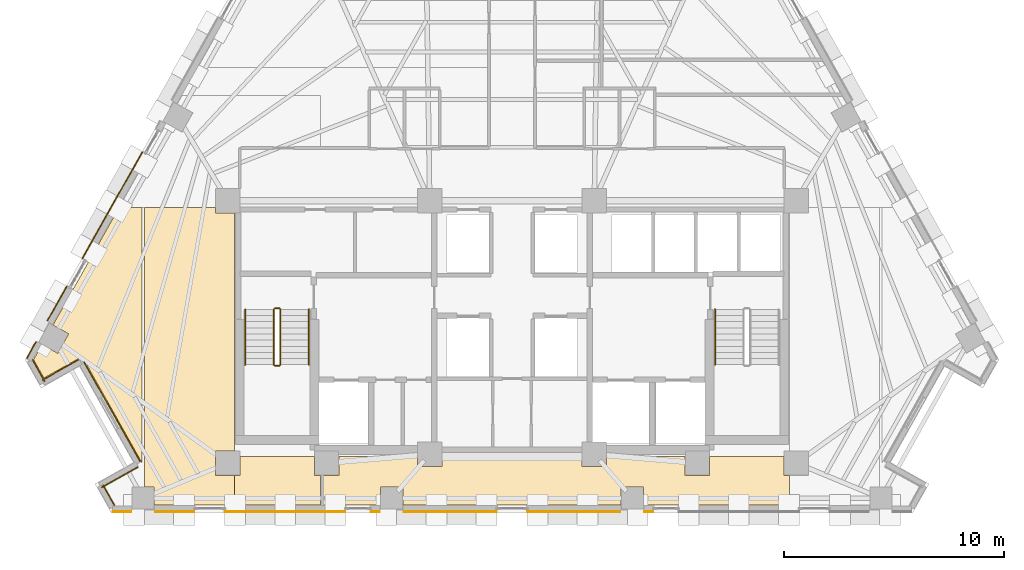
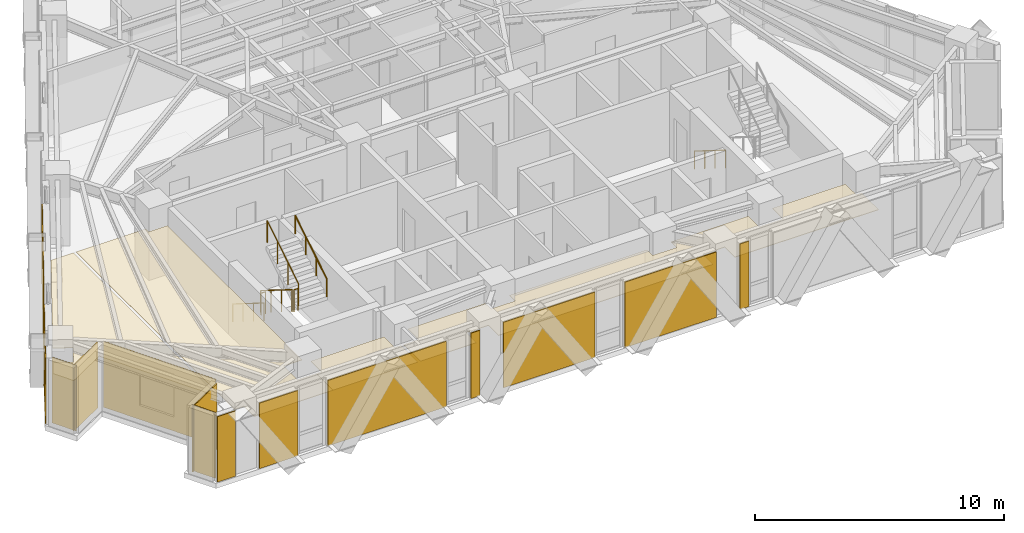
# One storey, part 11 of 14: 19 coverings, 7 railings.
"""IFC4 building model written with IfcOpenShell, lengths in metres."""

from ifc_helpers import new_model, si_unit, direction, frame, origin, origin_2d, place, context, subcontext, project, spatial, polyline, circle, outline, extrude, material, layer, layer_set, type_object, element, save


model = new_model("IFC4")

# Units and contexts
model_context = context("Model", 3, precision=1e-05, world=origin(), true_north=direction((0.0, 1.0)))
body_context = subcontext(model_context, "Body", "Model", "MODEL_VIEW")
ifc_project = project(units=[si_unit("LENGTHUNIT", "METRE"), si_unit("AREAUNIT", "SQUARE_METRE"), si_unit("VOLUMEUNIT", "CUBIC_METRE"), si_unit("PLANEANGLEUNIT", "RADIAN"), si_unit("MASSUNIT", "GRAM", prefix="KILO")], contexts=[model_context])

# Site, building, storey
site_placement = place(None, origin())
site = spatial("IfcSite", under=ifc_project, at=site_placement, CompositionType="ELEMENT")
building_placement = place(site_placement, origin())
building = spatial("IfcBuilding", under=site, at=building_placement, Name="Quenlor Broadcast Tower", CompositionType="ELEMENT")
storey_placement = place(building_placement, frame((0.0, 0.0, 168.5)))
storey = spatial("IfcBuildingStorey", under=building, at=storey_placement, Name="L46", CompositionType="ELEMENT", Elevation=168.5)

# Coverings
ifc_material_1 = material(Name="Acoustic Mineral Fibre Board", Category="other")
ifc_layer_1 = layer(ifc_material_1, 0.02490234375)
ifc_layer_set_1 = layer_set([ifc_layer_1], Name="Acoustic Perforated Mineral Tile Ceiling 25")
covering_type_1 = type_object("IfcCoveringType", Name="Acoustic Perforated Mineral Tile Ceiling 25", PredefinedType="CEILING", material=ifc_layer_set_1)
covering_1_placement = place(storey_placement, frame((0.0, 0.0, 2.375)))
element("IfcCovering", 1, at=covering_1_placement, inside=storey, type_object=covering_type_1, Name="L46 Acoustic Ceiling L46-37-2", PredefinedType="CEILING", context=body_context, shape_type="SweptSolid", body=[
    extrude(outline(polyline([(-20.19580078125, -10.86572265625), (-20.90869140625, -10.46484375), (-17.90234375, -5.1201171875), (-16.860107421875, -5.1201171875), (-16.860107421875, -16.733642578125), (-19.580322265625, -11.8974609375), (-21.323486328125, -12.878173828125), (-21.794921875, -12.0400390625), (-21.406982421875, -11.350341796875), (-20.694091796875, -11.751220703125), (-20.19580078125, -10.86572265625)])), origin(), (0.0, 0.0, 1.0), 0.02490234375),
])
covering_2_placement = place(storey_placement, frame((0.0, 0.0, 2.375)))
element("IfcCovering", 2, at=covering_2_placement, inside=storey, type_object=covering_type_1, Name="L46 Acoustic Ceiling L46-37-3", PredefinedType="CEILING", context=body_context, shape_type="SweptSolid", body=[
    extrude(outline(polyline([(-13.508056640625, -5.35791015625), (-12.64990234375, -5.35791015625), (-12.64990234375, -16.19189453125), (-13.508056640625, -16.19189453125), (-13.508056640625, -17.30810546875), (-12.64990234375, -17.30810546875), (-12.64990234375, -18.659912109375), (-16.30029296875, -18.659912109375), (-16.30029296875, -17.842041015625), (-16.739990234375, -17.842041015625), (-16.739990234375, -5.1201171875), (-13.508056640625, -5.1201171875), (-13.508056640625, -5.35791015625)])), origin(), (0.0, 0.0, 1.0), 0.02490234375),
])
covering_3_placement = place(storey_placement, frame((0.0, 0.0, 2.375)))
element("IfcCovering", 3, at=covering_3_placement, inside=storey, type_object=covering_type_1, Name="L46 Acoustic Ceiling L46-37-4", PredefinedType="CEILING", context=body_context, shape_type="SweptSolid", body=[
    extrude(outline(polyline([(-12.39208984375, -17.30810546875), (-12.39208984375, -16.449951171875), (-9.008056640625, -16.449951171875), (-9.008056640625, -17.30810546875), (-8.71435546875, -17.30810546875), (-8.71435546875, -18.659912109375), (-12.64990234375, -18.659912109375), (-12.64990234375, -17.30810546875), (-12.39208984375, -17.30810546875)])), origin(), (0.0, 0.0, 1.0), 0.02490234375),
])
covering_4_placement = place(storey_placement, frame((0.0, 0.0, 2.375)))
element("IfcCovering", 4, at=covering_4_placement, inside=storey, type_object=covering_type_1, Name="L46 Acoustic Ceiling L46-38-4", PredefinedType="CEILING", context=body_context, shape_type="SweptSolid", body=[
    extrude(outline(polyline([(5.989013671875, -18.659912109375), (5.989013671875, -17.842041015625), (4.972900390625, -17.842041015625), (4.972900390625, -18.659912109375), (-4.972900390625, -18.659912109375), (-4.972900390625, -17.842041015625), (-5.989013671875, -17.842041015625), (-5.989013671875, -18.659912109375), (-8.594482421875, -18.659912109375), (-8.594482421875, -17.30810546875), (-7.89208984375, -17.30810546875), (-7.89208984375, -16.449951171875), (-4.30810546875, -16.449951171875), (-4.30810546875, -16.907958984375), (-3.19189453125, -16.907958984375), (-3.19189453125, -16.449951171875), (3.19189453125, -16.449951171875), (3.19189453125, -16.907958984375), (4.30810546875, -16.907958984375), (4.30810546875, -16.449951171875), (7.89208984375, -16.449951171875), (7.89208984375, -17.30810546875), (9.008056640625, -17.30810546875), (9.008056640625, -16.449951171875), (12.39208984375, -16.449951171875), (12.39208984375, -17.30810546875), (12.64990234375, -17.30810546875), (12.64990234375, -18.659912109375), (5.989013671875, -18.659912109375)])), origin(), (0.0, 0.0, 1.0), 0.02490234375),
])
ifc_material_2 = material(Name="Architectural Terracotta Ceramic", Category="masonry")
ifc_layer_2 = layer(ifc_material_2, 0.044921875)
ifc_layer_set_2 = layer_set([ifc_layer_2], Name="Fluted Terracotta Rainscreen Cladding Panel")
covering_type_2 = type_object("IfcCoveringType", Name="Fluted Terracotta Rainscreen Cladding Panel", PredefinedType="CLADDING", material=ifc_layer_set_2)
covering_5_placement = place(storey_placement, frame((0.0, 0.0, 0.02001953125)))
element("IfcCovering", 5, at=covering_5_placement, inside=storey, type_object=covering_type_2, Name="L46 Terracotta Rainscreen Cladding L46-SHD-SS1", PredefinedType="CLADDING", context=body_context, shape_type="SweptSolid", body=[
    extrude(outline(polyline([(-17.343505859375, -18.93701171875), (-18.179931640625, -18.93701171875), (-18.179931640625, -18.98193359375), (-17.343505859375, -18.98193359375), (-17.343505859375, -18.93701171875)])), origin(), (0.0, 0.0, 1.0), 3.2099609375),
])
covering_6_placement = place(storey_placement, frame((0.0, 0.0, 0.02001953125)))
element("IfcCovering", 6, at=covering_6_placement, inside=storey, type_object=covering_type_2, Name="L46 Terracotta Rainscreen Cladding L46-SA-SP3", PredefinedType="CLADDING", context=body_context, shape_type="SweptSolid", body=[
    extrude(outline(polyline([(6.43603515625, -18.95703125), (6.035888671875, -18.95703125), (6.035888671875, -19.001953125), (6.43603515625, -19.001953125), (6.43603515625, -18.95703125)])), origin(), (0.0, 0.0, 1.0), 3.2099609375),
])
covering_7_placement = place(storey_placement, frame((0.0, 0.0, 0.02001953125)))
element("IfcCovering", 7, at=covering_7_placement, inside=storey, type_object=covering_type_2, Name="L46 Terracotta Rainscreen Cladding L46-SC-SP1", PredefinedType="CLADDING", context=body_context, shape_type="SweptSolid", body=[
    extrude(outline(polyline([(-6.035888671875, -18.95703125), (-6.43603515625, -18.95703125), (-6.43603515625, -19.001953125), (-6.035888671875, -19.001953125), (-6.035888671875, -18.95703125)])), origin(), (0.0, 0.0, 1.0), 3.2099609375),
])
covering_8_placement = place(storey_placement, frame((0.0, 0.0, 0.02001953125)))
element("IfcCovering", 8, at=covering_8_placement, inside=storey, type_object=covering_type_2, Name="L46 Terracotta Rainscreen Cladding L46-SC-SP2", PredefinedType="CLADDING", context=body_context, shape_type="SweptSolid", body=[
    extrude(outline(polyline([(-7.5869140625, -18.95703125), (-13.076904296875, -18.95703125), (-13.076904296875, -19.001953125), (-7.5869140625, -19.001953125), (-7.5869140625, -18.95703125)])), origin(), (0.0, 0.0, 1.0), 3.2099609375),
])
covering_9_placement = place(storey_placement, frame((0.0, 0.0, 0.02001953125)))
element("IfcCovering", 9, at=covering_9_placement, inside=storey, type_object=covering_type_2, Name="L46 Terracotta Rainscreen Cladding L46-SC-SP3", PredefinedType="CLADDING", context=body_context, shape_type="SweptSolid", body=[
    extrude(outline(polyline([(-14.47509765625, -18.95703125), (-16.25341796875, -18.95703125), (-16.25341796875, -19.001953125), (-14.47509765625, -19.001953125), (-14.47509765625, -18.95703125)])), origin(), (0.0, 0.0, 1.0), 3.2099609375),
])
covering_10_placement = place(storey_placement, frame((0.0, 0.0, 0.02001953125)))
element("IfcCovering", 10, at=covering_10_placement, inside=storey, type_object=covering_type_2, Name="L46 Terracotta Rainscreen Cladding L46-S-SP1", PredefinedType="CLADDING", context=body_context, shape_type="SweptSolid", body=[
    extrude(outline(polyline([(4.930908203125, -18.95703125), (0.698974609375, -18.95703125), (0.698974609375, -19.001953125), (4.930908203125, -19.001953125), (4.930908203125, -18.95703125)])), origin(), (0.0, 0.0, 1.0), 3.2099609375),
])
covering_11_placement = place(storey_placement, frame((0.0, 0.0, 0.02001953125)))
element("IfcCovering", 11, at=covering_11_placement, inside=storey, type_object=covering_type_2, Name="L46 Terracotta Rainscreen Cladding L46-S-SP2", PredefinedType="CLADDING", context=body_context, shape_type="SweptSolid", body=[
    extrude(outline(polyline([(-0.698974609375, -18.95703125), (-4.930908203125, -18.95703125), (-4.930908203125, -19.001953125), (-0.698974609375, -19.001953125), (-0.698974609375, -18.95703125)])), origin(), (0.0, 0.0, 1.0), 3.2099609375),
])
covering_12_placement = place(storey_placement, frame((0.0, 0.0, 0.02001953125)))
element("IfcCovering", 12, at=covering_12_placement, inside=storey, type_object=covering_type_2, Name="L46 Terracotta Rainscreen Cladding L46-SHD-NWS0", PredefinedType="CLADDING", context=body_context, shape_type="SweptSolid", body=[
    extrude(outline(polyline([(-22.0859375, -11.992431640625), (-21.66162109375, -11.23779296875), (-21.70068359375, -11.2158203125), (-22.125244140625, -11.970458984375), (-22.0859375, -11.992431640625)])), origin(), (0.0, 0.0, 1.0), 3.2099609375),
])
covering_13_placement = place(storey_placement, frame((0.0, 0.0, 0.02001953125)))
element("IfcCovering", 13, at=covering_13_placement, inside=storey, type_object=covering_type_2, Name="L46 Terracotta Rainscreen Cladding L46-NWA-SP1", PredefinedType="CLADDING", context=body_context, shape_type="SweptSolid", body=[
    extrude(outline(polyline([(-21.14453125, -10.278076171875), (-20.26416015625, -8.712646484375), (-20.30322265625, -8.690673828125), (-21.183837890625, -10.256103515625), (-21.14453125, -10.278076171875)])), origin(), (0.0, 0.0, 1.0), 3.2099609375),
])
covering_14_placement = place(storey_placement, frame((0.0, 0.0, 0.02001953125)))
element("IfcCovering", 14, at=covering_14_placement, inside=storey, type_object=covering_type_2, Name="L46 Terracotta Rainscreen Cladding L46-NWA-SP2", PredefinedType="CLADDING", context=body_context, shape_type="SweptSolid", body=[
    extrude(outline(polyline([(-19.55322265625, -7.44921875), (-16.81591796875, -2.582763671875), (-16.855224609375, -2.560791015625), (-19.592529296875, -7.42724609375), (-19.55322265625, -7.44921875)])), origin(), (0.0, 0.0, 1.0), 3.2099609375),
])
covering_15_placement = place(storey_placement, frame((0.0, 0.0, 0.02001953125)))
element("IfcCovering", 15, at=covering_15_placement, inside=storey, type_object=covering_type_2, Name="L46 Terracotta Rainscreen Cladding L46-CNR-12", PredefinedType="CLADDING", context=body_context, shape_type="SweptSolid", body=[
    extrude(outline(polyline([(-21.864501953125, -12.0546875), (-21.309326171875, -13.0419921875), (-21.27001953125, -13.02001953125), (-21.825439453125, -12.03271484375), (-21.864501953125, -12.0546875)])), origin(), (0.0, 0.0, 1.0), 3.2099609375),
])
covering_16_placement = place(storey_placement, frame((0.0, 0.0, 0.02001953125)))
element("IfcCovering", 16, at=covering_16_placement, inside=storey, type_object=covering_type_2, Name="L46 Terracotta Rainscreen Cladding L46-CNR-13", PredefinedType="CLADDING", context=body_context, shape_type="SweptSolid", body=[
    extrude(outline(polyline([(-21.385986328125, -12.9912109375), (-19.72998046875, -12.059814453125), (-19.752197265625, -12.0205078125), (-21.408203125, -12.9521484375), (-21.385986328125, -12.9912109375)])), origin(), (0.0, 0.0, 1.0), 3.2099609375),
])
covering_17_placement = place(storey_placement, frame((0.0, 0.0, 0.02001953125)))
element("IfcCovering", 17, at=covering_17_placement, inside=storey, type_object=covering_type_2, Name="L46 Terracotta Rainscreen Cladding L46-CNR-14", PredefinedType="CLADDING", context=body_context, shape_type="SweptSolid", body=[
    extrude(outline(polyline([(-19.51708984375, -12.148681640625), (-16.9580078125, -16.6982421875), (-16.918701171875, -16.67626953125), (-19.477783203125, -12.126708984375), (-19.51708984375, -12.148681640625)])), origin(), (0.0, 0.0, 1.0), 3.2099609375),
])
covering_18_placement = place(storey_placement, frame((0.0, 0.0, 0.02001953125)))
element("IfcCovering", 18, at=covering_18_placement, inside=storey, type_object=covering_type_2, Name="L46 Terracotta Rainscreen Cladding L46-CNR-15", PredefinedType="CLADDING", context=body_context, shape_type="SweptSolid", body=[
    extrude(outline(polyline([(-17.046875, -16.911376953125), (-18.702880859375, -17.8427734375), (-18.680908203125, -17.882080078125), (-17.02490234375, -16.950439453125), (-17.046875, -16.911376953125)])), origin(), (0.0, 0.0, 1.0), 3.2099609375),
])
covering_19_placement = place(storey_placement, frame((0.0, 0.0, 0.02001953125)))
element("IfcCovering", 19, at=covering_19_placement, inside=storey, type_object=covering_type_2, Name="L46 Terracotta Rainscreen Cladding L46-CNR-16", PredefinedType="CLADDING", context=body_context, shape_type="SweptSolid", body=[
    extrude(outline(polyline([(-18.652099609375, -17.76611328125), (-18.127685546875, -18.697998046875), (-18.088623046875, -18.67578125), (-18.61279296875, -17.743896484375), (-18.652099609375, -17.76611328125)])), origin(), (0.0, 0.0, 1.0), 3.2099609375),
])

# Railings
ifc_material_3 = material(Name="Anodised Aluminium", Category="aluminium")
railing_type_1 = type_object("IfcRailingType", Name="Stainless Aluminium Wall Handrail 900", PredefinedType="HANDRAIL", material=ifc_material_3)
railing_1_placement = place(storey_placement, frame((-12.14990234375, -9.75, 0.175048828125)))
element("IfcRailing", 20, at=railing_1_placement, inside=storey, type_object=railing_type_1, Name="L46 ST-1 stair handrail 1", PredefinedType="HANDRAIL", context=body_context, shape_type="SweptSolid", body=[
    extrude(circle(Radius=0.02392578125, at=origin_2d()), frame((0.0, 0.0, 0.8759765625), z_axis=(0.0, -0.848007534815, 0.529984170421), x_axis=(1.0, 0.0, 0.0)), (0.0, 0.0, 1.0), 2.9716796875),
    extrude(circle(Radius=0.02099609375, at=origin_2d()), origin(), (0.0, 0.0, 1.0), 0.851806640625),
    extrude(circle(Radius=0.02099609375, at=origin_2d()), frame((0.0, -0.840087890625, 0.52490234375)), (0.0, 0.0, 1.0), 0.851806640625),
    extrude(circle(Radius=0.02099609375, at=origin_2d()), frame((0.0, -1.679931640625, 1.050048828125)), (0.0, 0.0, 1.0), 0.851806640625),
    extrude(circle(Radius=0.02099609375, at=origin_2d()), frame((0.0, -2.52001953125, 1.574951171875)), (0.0, 0.0, 1.0), 0.851806640625),
])
railing_2_placement = place(storey_placement, frame((-9.25, -12.27001953125, 1.925048828125)))
element("IfcRailing", 21, at=railing_2_placement, inside=storey, type_object=railing_type_1, Name="L46 ST-1 stair handrail 2", PredefinedType="HANDRAIL", context=body_context, shape_type="SweptSolid", body=[
    extrude(circle(Radius=0.02392578125, at=origin_2d()), frame((0.0, 0.0, 0.8759765625), z_axis=(0.0, 0.848007534815, 0.529984170421), x_axis=(-1.0, 0.0, 0.0)), (0.0, 0.0, 1.0), 2.9716796875),
    extrude(circle(Radius=0.02099609375, at=origin_2d()), origin(), (0.0, 0.0, 1.0), 0.851806640625),
    extrude(circle(Radius=0.02099609375, at=origin_2d()), frame((0.0, 0.840087890625, 0.52490234375)), (0.0, 0.0, 1.0), 0.851806640625),
    extrude(circle(Radius=0.02099609375, at=origin_2d()), frame((0.0, 1.679931640625, 1.050048828125)), (0.0, 0.0, 1.0), 0.851806640625),
    extrude(circle(Radius=0.02099609375, at=origin_2d()), frame((0.0, 2.52001953125, 1.574951171875)), (0.0, 0.0, 1.0), 0.851806640625),
])
railing_3_placement = place(storey_placement, frame((9.25, -9.75, 0.175048828125)))
element("IfcRailing", 22, at=railing_3_placement, inside=storey, type_object=railing_type_1, Name="L46 ST-2 stair handrail 1", PredefinedType="HANDRAIL", context=body_context, shape_type="SweptSolid", body=[
    extrude(circle(Radius=0.02392578125, at=origin_2d()), frame((0.0, 0.0, 0.8759765625), z_axis=(0.0, -0.848007534815, 0.529984170421), x_axis=(1.0, 0.0, 0.0)), (0.0, 0.0, 1.0), 2.9716796875),
    extrude(circle(Radius=0.02099609375, at=origin_2d()), origin(), (0.0, 0.0, 1.0), 0.851806640625),
    extrude(circle(Radius=0.02099609375, at=origin_2d()), frame((0.0, -0.840087890625, 0.52490234375)), (0.0, 0.0, 1.0), 0.851806640625),
    extrude(circle(Radius=0.02099609375, at=origin_2d()), frame((0.0, -1.679931640625, 1.050048828125)), (0.0, 0.0, 1.0), 0.851806640625),
    extrude(circle(Radius=0.02099609375, at=origin_2d()), frame((0.0, -2.52001953125, 1.574951171875)), (0.0, 0.0, 1.0), 0.851806640625),
])
ifc_material_4 = material(Name="Steel S355", Category="steel")
railing_type_2 = type_object("IfcRailingType", Name="Tubular Steel S355 Stair Guardrail 1100", PredefinedType="BALUSTRADE", material=ifc_material_4)
railing_4_placement = place(storey_placement, frame((-10.85009765625, -9.75, 0.175048828125)))
element("IfcRailing", 23, at=railing_4_placement, inside=storey, type_object=railing_type_2, Name="L46 ST-1 stair guard 1", PredefinedType="BALUSTRADE", context=body_context, shape_type="SweptSolid", body=[
    extrude(circle(Radius=0.02392578125, at=origin_2d()), frame((0.0, 0.0, 1.076171875), z_axis=(0.0, -0.848007534815, 0.529984170421), x_axis=(1.0, 0.0, 0.0)), (0.0, 0.0, 1.0), 2.9716796875),
    extrude(circle(Radius=0.02099609375, at=origin_2d()), origin(), (0.0, 0.0, 1.0), 1.052001953125),
    extrude(circle(Radius=0.02099609375, at=origin_2d()), frame((0.0, -0.840087890625, 0.52490234375)), (0.0, 0.0, 1.0), 1.052001953125),
    extrude(circle(Radius=0.02099609375, at=origin_2d()), frame((0.0, -1.679931640625, 1.050048828125)), (0.0, 0.0, 1.0), 1.052001953125),
    extrude(circle(Radius=0.02099609375, at=origin_2d()), frame((0.0, -2.52001953125, 1.574951171875)), (0.0, 0.0, 1.0), 1.052001953125),
])
railing_5_placement = place(storey_placement, frame((-10.800048828125, -12.320068359375, 1.75)))
element("IfcRailing", 24, at=railing_5_placement, inside=storey, type_object=railing_type_2, Name="L46 ST-1 stair guard 2", PredefinedType="BALUSTRADE", context=body_context, shape_type="SweptSolid", body=[
    extrude(circle(Radius=0.02392578125, at=origin_2d()), frame((0.0, 0.0, 1.076171875), z_axis=(1.0, 0.0, 0.0), x_axis=(0.0, 1.0, 0.0)), (0.0, 0.0, 1.0), 0.199951171875),
    extrude(circle(Radius=0.02099609375, at=origin_2d()), origin(), (0.0, 0.0, 1.0), 1.052001953125),
    extrude(circle(Radius=0.02099609375, at=origin_2d()), frame((0.199951171875, 0.0, 0.0)), (0.0, 0.0, 1.0), 1.052001953125),
])
railing_6_placement = place(storey_placement, frame((-10.550048828125, -12.27001953125, 1.925048828125)))
element("IfcRailing", 25, at=railing_6_placement, inside=storey, type_object=railing_type_2, Name="L46 ST-1 stair guard 3", PredefinedType="BALUSTRADE", context=body_context, shape_type="SweptSolid", body=[
    extrude(circle(Radius=0.02392578125, at=origin_2d()), frame((0.0, 0.0, 1.076171875), z_axis=(0.0, 0.848007534815, 0.529984170421), x_axis=(-1.0, 0.0, 0.0)), (0.0, 0.0, 1.0), 2.9716796875),
    extrude(circle(Radius=0.02099609375, at=origin_2d()), origin(), (0.0, 0.0, 1.0), 1.052001953125),
    extrude(circle(Radius=0.02099609375, at=origin_2d()), frame((0.0, 0.840087890625, 0.52490234375)), (0.0, 0.0, 1.0), 1.052001953125),
    extrude(circle(Radius=0.02099609375, at=origin_2d()), frame((0.0, 1.679931640625, 1.050048828125)), (0.0, 0.0, 1.0), 1.052001953125),
    extrude(circle(Radius=0.02099609375, at=origin_2d()), frame((0.0, 2.52001953125, 1.574951171875)), (0.0, 0.0, 1.0), 1.052001953125),
])
railing_7_placement = place(storey_placement, frame((-10.800048828125, -9.699951171875, 0.0)))
element("IfcRailing", 26, at=railing_7_placement, inside=storey, type_object=railing_type_2, Name="L46 ST-1 stair guard 4", PredefinedType="BALUSTRADE", context=body_context, shape_type="SweptSolid", body=[
    extrude(circle(Radius=0.02392578125, at=origin_2d()), frame((0.0, 0.0, 1.076171875), z_axis=(1.0, 0.0, 0.0), x_axis=(0.0, 1.0, 0.0)), (0.0, 0.0, 1.0), 0.199951171875),
    extrude(circle(Radius=0.02099609375, at=origin_2d()), origin(), (0.0, 0.0, 1.0), 1.052001953125),
    extrude(circle(Radius=0.02099609375, at=origin_2d()), frame((0.199951171875, 0.0, 0.0)), (0.0, 0.0, 1.0), 1.052001953125),
])

save(model, "model.ifc")
